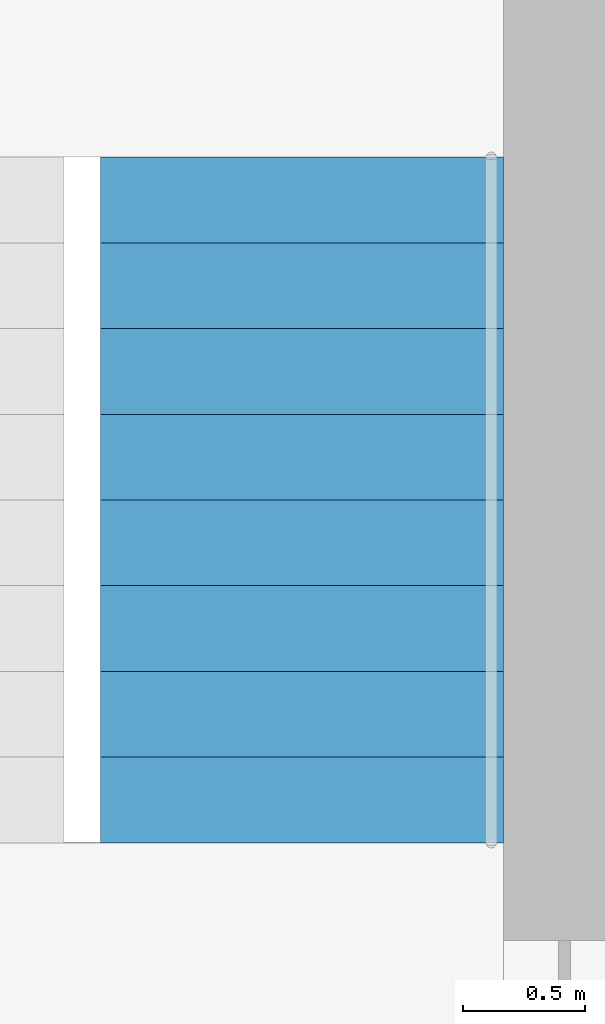
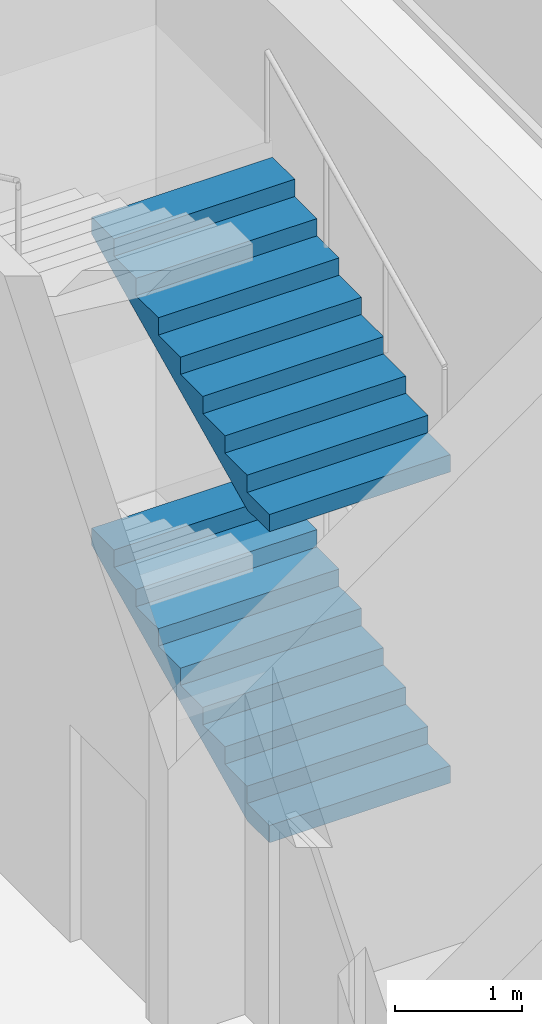
# One storey, part 15 of 20: 2 stair flights, 1 element without a shape of its own.
"""IFC4 building model written with IfcOpenShell, lengths in metres."""

from ifc_helpers import new_model, si_unit, direction, frame, origin, place, context, subcontext, project, spatial, polyline, outline, extrude, material, type_object, element, aggregate, save


model = new_model("IFC4")

# Units and contexts
model_context = context("Model", 3, precision=1e-05, world=origin(), true_north=direction((0.0, 1.0)))
body_context = subcontext(model_context, "Body", "Model", "MODEL_VIEW")
ifc_project = project(units=[si_unit("LENGTHUNIT", "METRE"), si_unit("AREAUNIT", "SQUARE_METRE"), si_unit("VOLUMEUNIT", "CUBIC_METRE"), si_unit("PLANEANGLEUNIT", "RADIAN"), si_unit("MASSUNIT", "GRAM", prefix="KILO")], contexts=[model_context])

# Site, building, storey
site_placement = place(None, origin())
site = spatial("IfcSite", under=ifc_project, at=site_placement, CompositionType="ELEMENT")
building_placement = place(site_placement, origin())
building = spatial("IfcBuilding", under=site, at=building_placement, Name="Ogive Exchange Tower", CompositionType="ELEMENT")
storey_placement = place(building_placement, frame((0.0, 0.0, 303.0)))
storey = spatial("IfcBuildingStorey", under=building, at=storey_placement, Name="L66", CompositionType="ELEMENT", Elevation=303.0)

# Stair, stair flights
ifc_material = material(Name="Concrete C40/50", Category="concrete")
stair_type = type_object("IfcStairType", Name="Exit stair 1650 wide", PredefinedType="HALF_TURN_STAIR", material=ifc_material)
stair_placement = place(storey_placement, origin())
stair = element("IfcStair", 1, at=stair_placement, inside=storey, type_object=stair_type, Name="L66 exit stair ST4", PredefinedType="HALF_TURN_STAIR")
stair_flight_type = type_object("IfcStairFlightType", Name="Stair flight 1650 wide", PredefinedType="STRAIGHT", material=ifc_material)
stair_flight_1_placement = place(storey_placement, frame((20.175048828125, 20.800048828125, 0.0), z_axis=(0.0, 0.0, 1.0), x_axis=(0.0, 1.0, 0.0)))
stair_flight_1 = element("IfcStairFlight", 2, at=stair_flight_1_placement, type_object=stair_flight_type, Name="ST4 flight 1", NumberOfRisers=9, NumberOfTreads=8, PredefinedType="STRAIGHT", RiserHeight=0.166666667, TreadLength=0.351, context=body_context, shape_type="SweptSolid", body=[
    extrude(outline(polyline([(0.0, 0.0), (0.0, 0.166748046875), (0.35107421875, 0.166748046875), (0.35107421875, 0.333251953125), (0.701904296875, 0.333251953125), (0.701904296875, 0.5), (1.052978515625, 0.5), (1.052978515625, 0.666748046875), (1.404052734375, 0.666748046875), (1.404052734375, 0.833251953125), (1.7548828125, 0.833251953125), (1.7548828125, 1.0), (2.10595703125, 1.0), (2.10595703125, 1.166748046875), (2.45703125, 1.166748046875), (2.45703125, 1.333251953125), (2.80810546875, 1.333251953125), (2.80810546875, 1.5), (2.80810546875, 1.16748046875), (0.349365234375, 0.0), (0.0, 0.0)])), frame((0.0, 0.824951171875, 0.0), z_axis=(0.0, -1.0, 0.0), x_axis=(1.0, 0.0, 0.0)), (0.0, 0.0, 1.0), 1.64990234375),
])
stair_flight_2_placement = place(storey_placement, frame((20.175048828125, 20.800048828125, 3.0), z_axis=(0.0, 0.0, 1.0), x_axis=(0.0, 1.0, 0.0)))
stair_flight_2 = element("IfcStairFlight", 3, at=stair_flight_2_placement, type_object=stair_flight_type, Name="ST4 flight 3", NumberOfRisers=9, NumberOfTreads=8, PredefinedType="STRAIGHT", RiserHeight=0.166666667, TreadLength=0.351, context=body_context, shape_type="SweptSolid", body=[
    extrude(outline(polyline([(0.0, 0.0), (0.0, 0.166748046875), (0.35107421875, 0.166748046875), (0.35107421875, 0.333251953125), (0.701904296875, 0.333251953125), (0.701904296875, 0.5), (1.052978515625, 0.5), (1.052978515625, 0.666748046875), (1.404052734375, 0.666748046875), (1.404052734375, 0.833251953125), (1.7548828125, 0.833251953125), (1.7548828125, 1.0), (2.10595703125, 1.0), (2.10595703125, 1.166748046875), (2.45703125, 1.166748046875), (2.45703125, 1.333251953125), (2.80810546875, 1.333251953125), (2.80810546875, 1.5), (2.80810546875, 1.16748046875), (0.349365234375, 0.0), (0.0, 0.0)])), frame((0.0, 0.824951171875, 0.0), z_axis=(0.0, -1.0, 0.0), x_axis=(1.0, 0.0, 0.0)), (0.0, 0.0, 1.0), 1.64990234375),
])
aggregate(stair, [stair_flight_1, stair_flight_2])

save(model, "model.ifc")
